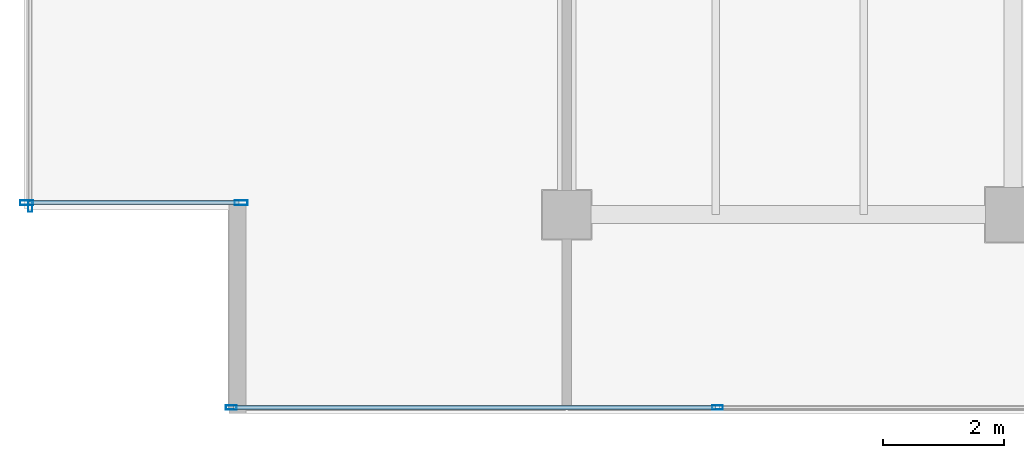
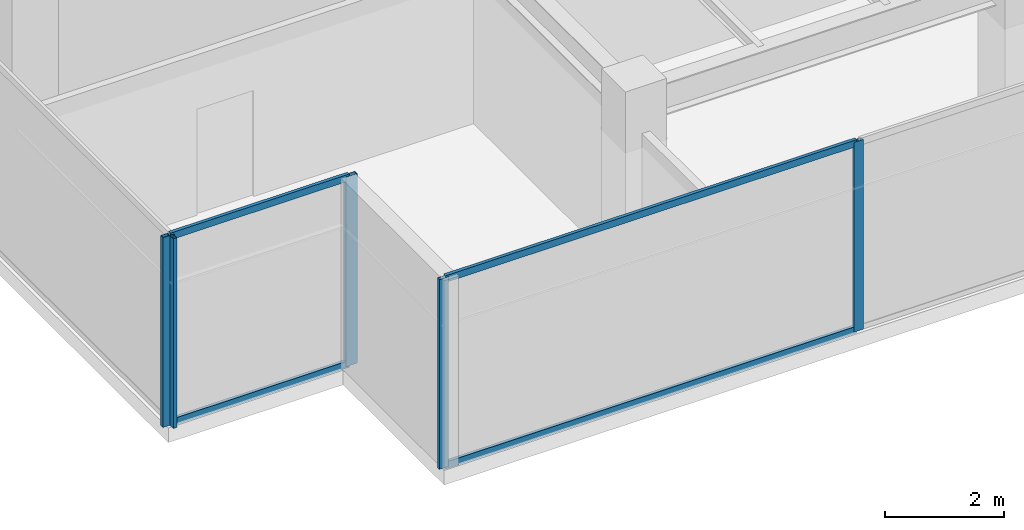
# One storey, part 4 of 32: 9 members, 3 elements without a shape of their own.
"""IFC4 building model written with IfcOpenShell, lengths in metres."""

from ifc_helpers import new_model, si_unit, direction, frame, origin, origin_2d, place, context, subcontext, project, spatial, hollow_rectangle, extrude, source, transform, mapped, material, layer, layer_set, material_profile, profile_set, type_object, type_shapes, element, aggregate, save


model = new_model("IFC4")

# Units and contexts
model_context = context("Model", 3, precision=1e-05, world=origin(), true_north=direction((0.0, 1.0)))
body_context = subcontext(model_context, "Body", "Model", "MODEL_VIEW")
ifc_project = project(units=[si_unit("LENGTHUNIT", "METRE"), si_unit("AREAUNIT", "SQUARE_METRE"), si_unit("VOLUMEUNIT", "CUBIC_METRE"), si_unit("PLANEANGLEUNIT", "RADIAN"), si_unit("MASSUNIT", "GRAM", prefix="KILO")], contexts=[model_context])

# Site, building, storey
site_placement = place(None, origin())
site = spatial("IfcSite", under=ifc_project, at=site_placement, CompositionType="ELEMENT")
building_placement = place(site_placement, origin())
building = spatial("IfcBuilding", under=site, at=building_placement, Name="Haelvirn Gate Laboratories", CompositionType="ELEMENT")
storey_placement = place(building_placement, frame((0.0, 0.0, 301.800048828125)))
storey = spatial("IfcBuildingStorey", under=building, at=storey_placement, Name="L72", CompositionType="ELEMENT", Elevation=301.800048828125)

# Curtain wall, members
ifc_material_1 = material(Name="Anodised bronze unitised aluminium & triple low-E glass", Category="aluminium")
ifc_layer_1 = layer(ifc_material_1, 0.176025390625, Name="CW-SYS-4")
ifc_layer_set_1 = layer_set([ifc_layer_1], Name="Anodised bronze unitised aluminium & triple low-E glass")
curtain_wall_type_1 = type_object("IfcCurtainWallType", Name="CW-SYS-4", PredefinedType="NOTDEFINED", material=ifc_layer_set_1)
curtain_wall_1_placement = place(storey_placement, origin())
curtain_wall_1 = element("IfcCurtainWall", 1, at=curtain_wall_1_placement, inside=storey, type_object=curtain_wall_type_1, Name="L72 Unitised Curtain Wall CW-L72-P0-E00-1", PredefinedType="NOTDEFINED")
ifc_material_2 = material(Name="Extruded aluminium 6063-T6 (anodised bronze)", Category="aluminium")
ifc_material_profile_1 = material_profile(ifc_material_2, hollow_rectangle(XDim=0.070068359375, YDim=0.179931640625, WallThickness=0.0048828125, at=origin_2d()), Name="CWM-180x70x5")
ifc_profile_set_1 = profile_set([ifc_material_profile_1], Name="Extruded aluminium 6063-T6 (anodised bronze)")
member_type_1 = type_object("IfcMemberType", Name="CWM-T180", PredefinedType="MULLION", material=ifc_profile_set_1)
shared_shape_1 = source(origin(), body_context, "Body", "SweptSolid", [
    extrude(hollow_rectangle(XDim=0.070068359375, YDim=0.179931640625, WallThickness=0.0048828125, at=origin_2d()), origin(), (0.0, 0.0, 1.0), 3.89990234375),
])
type_shapes(member_type_1, [shared_shape_1])
member_1_placement = place(storey_placement, frame((9.235107421875, 3.800048828125, 0.0), z_axis=(0.0, 0.0, 1.0), x_axis=(0.0, 1.0, 0.0)))
member_1 = element("IfcMember", 2, at=member_1_placement, type_object=member_type_1, Name="CW4 mullion 1", PredefinedType="MULLION", context=body_context, shape_type="MappedRepresentation", body=[
    mapped(shared_shape_1, transform((0.0, 0.0, 0.0), scale=1.0)),
])
member_2_placement = place(storey_placement, frame((17.300048828125, 3.800048828125, 0.0), z_axis=(0.0, 0.0, 1.0), x_axis=(0.0, 1.0, 0.0)))
member_2 = element("IfcMember", 3, at=member_2_placement, type_object=member_type_1, Name="CW4 mullion 2", PredefinedType="MULLION", context=body_context, shape_type="MappedRepresentation", body=[
    mapped(shared_shape_1, transform((0.0, 0.0, 0.0), scale=1.0)),
])

# Curtain wall, member
curtain_wall_2_placement = place(storey_placement, origin())
curtain_wall_2 = element("IfcCurtainWall", 4, at=curtain_wall_2_placement, inside=storey, type_object=curtain_wall_type_1, Name="L72 Unitised Curtain Wall CW-L72-P0-E17", PredefinedType="NOTDEFINED")
member_3_placement = place(storey_placement, frame((5.89990234375, 7.135009765625, 0.0), z_axis=(0.0, 0.0, 1.0), x_axis=(1.0, 0.0, 0.0)))
member_3 = element("IfcMember", 5, at=member_3_placement, type_object=member_type_1, Name="CW4 mullion 3", PredefinedType="MULLION", context=body_context, shape_type="MappedRepresentation", body=[
    mapped(shared_shape_1, transform((0.0, 0.0, 0.0), scale=1.0)),
])
aggregate(curtain_wall_2, [member_3])

# Curtain wall, members
ifc_layer_2 = layer(ifc_material_1, 0.181884765625, Name="CW-SYS-5")
ifc_layer_set_2 = layer_set([ifc_layer_2], Name="Anodised bronze unitised aluminium & triple low-E glass")
curtain_wall_type_2 = type_object("IfcCurtainWallType", Name="CW-SYS-5", PredefinedType="NOTDEFINED", material=ifc_layer_set_2)
curtain_wall_3_placement = place(storey_placement, origin())
curtain_wall_3 = element("IfcCurtainWall", 6, at=curtain_wall_3_placement, inside=storey, type_object=curtain_wall_type_2, Name="L72 Unitised Curtain Wall CW-L72-P0-E18-1", PredefinedType="NOTDEFINED")
ifc_material_profile_2 = material_profile(ifc_material_2, hollow_rectangle(XDim=0.080078125, YDim=0.219970703125, WallThickness=0.006103515625, at=origin_2d()), Name="CWM-220x80x6")
ifc_profile_set_2 = profile_set([ifc_material_profile_2], Name="Extruded aluminium 6063-T6 (anodised bronze)")
member_type_2 = type_object("IfcMemberType", Name="CWM-T220", PredefinedType="MULLION", material=ifc_profile_set_2)
shared_shape_2 = source(origin(), body_context, "Body", "SweptSolid", [
    extrude(hollow_rectangle(XDim=0.080078125, YDim=0.219970703125, WallThickness=0.006103515625, at=origin_2d()), origin(), (0.0, 0.0, 1.0), 3.89990234375),
])
type_shapes(member_type_2, [shared_shape_2])
member_4_placement = place(storey_placement, frame((5.840087890625, 7.199951171875, 0.0), z_axis=(0.0, 0.0, 1.0), x_axis=(0.0, 1.0, 0.0)))
member_4 = element("IfcMember", 7, at=member_4_placement, type_object=member_type_2, Name="CW5 mullion 1", PredefinedType="MULLION", context=body_context, shape_type="MappedRepresentation", body=[
    mapped(shared_shape_2, transform((0.0, 0.0, 0.0), scale=1.0)),
])
member_5_placement = place(storey_placement, frame((9.39990234375, 7.199951171875, 0.0), z_axis=(0.0, 0.0, 1.0), x_axis=(0.0, 1.0, 0.0)))
member_5 = element("IfcMember", 8, at=member_5_placement, type_object=member_type_2, Name="CW5 mullion 2", PredefinedType="MULLION", context=body_context, shape_type="MappedRepresentation", body=[
    mapped(shared_shape_2, transform((0.0, 0.0, 0.0), scale=1.0)),
])
ifc_material_profile_3 = material_profile(ifc_material_2, hollow_rectangle(XDim=0.06494140625, YDim=0.139892578125, WallThickness=0.00390625, at=origin_2d()), Name="CWT-140x65x4")
ifc_profile_set_3 = profile_set([ifc_material_profile_3], Name="Extruded aluminium 6063-T6 (anodised bronze)")
member_type_3 = type_object("IfcMemberType", Name="CWT-T140", PredefinedType="USERDEFINED", material=ifc_profile_set_3)
shared_shape_3 = source(origin(), body_context, "Body", "SweptSolid", [
    extrude(hollow_rectangle(XDim=0.06494140625, YDim=0.139892578125, WallThickness=0.00390625, at=origin_2d()), origin(), (0.0, 0.0, 1.0), 3.480224609375),
])
member_6_placement = place(storey_placement, frame((5.8798828125, 7.199951171875, 0.032470703125), z_axis=(1.0, 0.0, 0.0), x_axis=(0.0, 1.0, 0.0)))
member_6 = element("IfcMember", 9, at=member_6_placement, type_object=member_type_3, Name="CW5 transom 1.1", ObjectType="TRANSOM", PredefinedType="USERDEFINED", context=body_context, shape_type="MappedRepresentation", body=[
    mapped(shared_shape_3, transform((0.0, 0.0, 0.0), scale=1.0)),
])
member_7_placement = place(storey_placement, frame((5.8798828125, 7.199951171875, 3.867431640625), z_axis=(1.0, 0.0, 0.0), x_axis=(0.0, 1.0, 0.0)))
member_7 = element("IfcMember", 10, at=member_7_placement, type_object=member_type_3, Name="CW5 transom 1.2", ObjectType="TRANSOM", PredefinedType="USERDEFINED", context=body_context, shape_type="MappedRepresentation", body=[
    mapped(shared_shape_3, transform((0.0, 0.0, 0.0), scale=1.0)),
])
aggregate(curtain_wall_3, [member_4, member_5, member_6, member_7])

# Member
shared_shape_4 = source(origin(), body_context, "Body", "SweptSolid", [
    extrude(hollow_rectangle(XDim=0.06494140625, YDim=0.139892578125, WallThickness=0.00390625, at=origin_2d()), origin(), (0.0, 0.0, 1.0), 7.994873046875),
])
type_shapes(member_type_3, [shared_shape_3, shared_shape_4])
member_8_placement = place(storey_placement, frame((9.27001953125, 3.800048828125, 0.032470703125), z_axis=(1.0, 0.0, 0.0), x_axis=(0.0, 1.0, 0.0)))
member_8 = element("IfcMember", 11, at=member_8_placement, type_object=member_type_3, Name="CW4 transom 1.1", ObjectType="TRANSOM", PredefinedType="USERDEFINED", context=body_context, shape_type="MappedRepresentation", body=[
    mapped(shared_shape_4, transform((0.0, 0.0, 0.0), scale=1.0)),
])

member_9_placement = place(storey_placement, frame((9.27001953125, 3.800048828125, 3.867431640625), z_axis=(1.0, 0.0, 0.0), x_axis=(0.0, 1.0, 0.0)))
member_9 = element("IfcMember", 12, at=member_9_placement, type_object=member_type_3, Name="CW4 transom 1.2", ObjectType="TRANSOM", PredefinedType="USERDEFINED", context=body_context, shape_type="MappedRepresentation", body=[
    mapped(shared_shape_4, transform((0.0, 0.0, 0.0), scale=1.0)),
])

aggregate(curtain_wall_1, [member_1, member_2, member_8, member_9])

save(model, "model.ifc")
